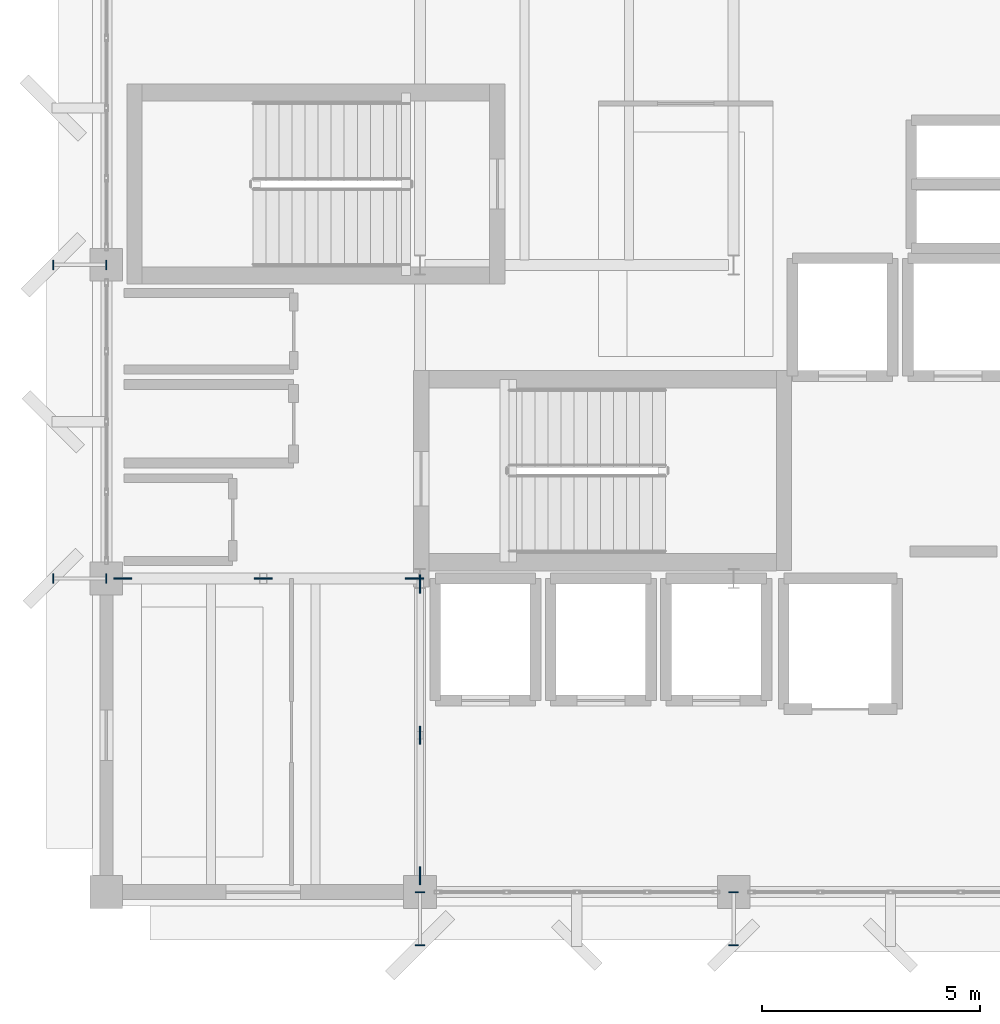
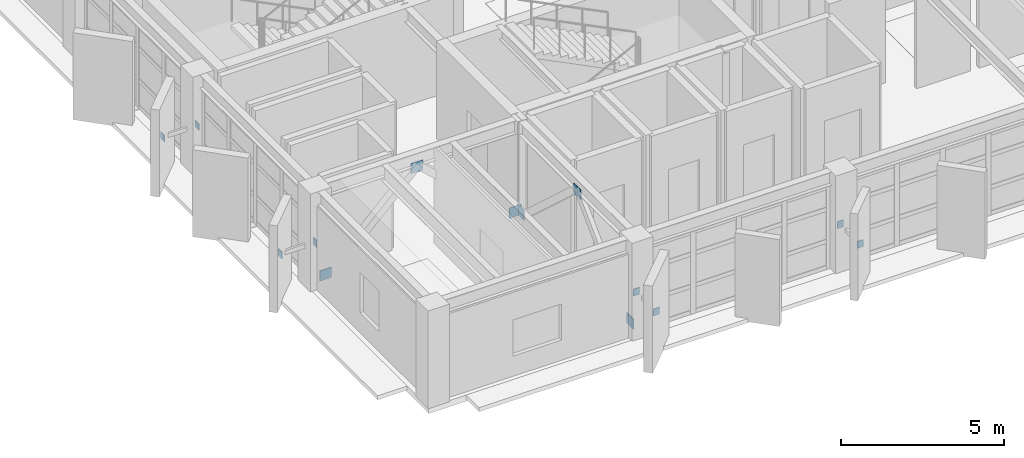
# One storey, part 19 of 24: 14 discrete accessories.
"""IFC4 building model written with IfcOpenShell, lengths in metres."""

from ifc_helpers import new_model, si_unit, direction, frame, origin, origin_2d, place, context, subcontext, project, spatial, rectangle, extrude, material, type_object, element, save


model = new_model("IFC4")

# Units and contexts
model_context = context("Model", 3, precision=1e-05, world=origin(), true_north=direction((0.0, 1.0)))
body_context = subcontext(model_context, "Body", "Model", "MODEL_VIEW")
ifc_project = project(units=[si_unit("LENGTHUNIT", "METRE"), si_unit("AREAUNIT", "SQUARE_METRE"), si_unit("VOLUMEUNIT", "CUBIC_METRE"), si_unit("PLANEANGLEUNIT", "RADIAN"), si_unit("MASSUNIT", "GRAM", prefix="KILO")], contexts=[model_context])

# Site, building, storey
site_placement = place(None, origin())
site = spatial("IfcSite", under=ifc_project, at=site_placement, CompositionType="ELEMENT")
building_placement = place(site_placement, origin())
building = spatial("IfcBuilding", under=site, at=building_placement, Name="Kandorven Conservatory and Botanical Research Centre", CompositionType="ELEMENT")
storey_placement = place(building_placement, frame((0.0, 0.0, 24.89990234375)))
storey = spatial("IfcBuildingStorey", under=building, at=storey_placement, Name="L06", CompositionType="ELEMENT", Elevation=24.89990234375)

# Discrete accessories
ifc_material_1 = material(Name="Steel S355 (IS 2062 E350)", Category="steel")
discrete_accessory_type_1 = type_object("IfcDiscreteAccessoryType", Name="BraceGussetPlate", PredefinedType="BRACKET", material=ifc_material_1)
for number, where, z_axis, x_axis, name in (
    (1, (6.375, 13.199951171875, -0.009765625), (0.0, 0.0, 1.0), (1.0, 0.0, 0.0), "Welded chevron brace gusset plate L06 X-W"),
    (2, (9.60009765625, 13.199951171875, 2.8701171875), (0.0, 0.0, 1.0), (1.0, 0.0, 0.0), "Welded chevron brace gusset plate L06 X-M"),
    (3, (13.074951171875, 13.199951171875, -0.009765625), (0.0, 0.0, 1.0), (1.0, 0.0, 0.0), "Welded chevron brace gusset plate L06 X-E"),
):
    element("IfcDiscreteAccessory", number, at=place(storey_placement, frame(where, z_axis=z_axis, x_axis=x_axis)), inside=storey, type_object=discrete_accessory_type_1, Name=name, PredefinedType="BRACKET", context=body_context, shape_type="SweptSolid", body=[
        extrude(rectangle(XDim=0.419921875, YDim=0.028076171875, at=origin_2d()), origin(), (0.0, 0.0, 1.0), 0.3798828125),
    ])
for number, where, z_axis, x_axis, name in (
    (4, (13.199951171875, 6.375, -0.009765625), (0.0, 0.0, 1.0), (1.0, 0.0, 0.0), "Welded chevron brace gusset plate L06 Y-S"),
    (5, (13.199951171875, 9.60009765625, 2.8701171875), (0.0, 0.0, 1.0), (1.0, 0.0, 0.0), "Welded chevron brace gusset plate L06 Y-M"),
    (6, (13.199951171875, 13.074951171875, -0.009765625), (0.0, 0.0, 1.0), (1.0, 0.0, 0.0), "Welded chevron brace gusset plate L06 Y-N"),
):
    element("IfcDiscreteAccessory", number, at=place(storey_placement, frame(where, z_axis=z_axis, x_axis=x_axis)), inside=storey, type_object=discrete_accessory_type_1, Name=name, PredefinedType="BRACKET", context=body_context, shape_type="SweptSolid", body=[
        extrude(rectangle(XDim=0.028076171875, YDim=0.419921875, at=origin_2d()), origin(), (0.0, 0.0, 1.0), 0.3798828125),
    ])
ifc_material_2 = material(Name="Steel S355 (IS 2062 E350)", Category="steel")
discrete_accessory_type_2 = type_object("IfcDiscreteAccessoryType", Name="SteelGussetPlate", PredefinedType="BRACKET", material=ifc_material_2)
for number, where, z_axis, x_axis, name in (
    (7, (13.199951171875, 6.0, 1.3701171875), (0.0, 0.0, 1.0), (1.0, 0.0, 0.0), "Welded steel strut end-plate GUS-01 #59A"),
    (8, (13.199951171875, 4.780029296875, 1.3701171875), (0.0, 0.0, 1.0), (1.0, 0.0, 0.0), "Welded steel strut end-plate GUS-01 #59B"),
    (9, (20.39990234375, 6.0, 1.3701171875), (0.0, 0.0, 1.0), (1.0, 0.0, 0.0), "Welded steel strut end-plate GUS-01 #61A"),
    (10, (20.39990234375, 4.780029296875, 1.3701171875), (0.0, 0.0, 1.0), (1.0, 0.0, 0.0), "Welded steel strut end-plate GUS-01 #61B"),
):
    element("IfcDiscreteAccessory", number, at=place(storey_placement, frame(where, z_axis=z_axis, x_axis=x_axis)), inside=storey, type_object=discrete_accessory_type_2, Name=name, PredefinedType="BRACKET", context=body_context, shape_type="SweptSolid", body=[
        extrude(rectangle(XDim=0.219970703125, YDim=0.02392578125, at=origin_2d()), origin(), (0.0, 0.0, 1.0), 0.260009765625),
    ])
for number, where, z_axis, x_axis, name in (
    (11, (6.0, 13.199951171875, 1.3701171875), (0.0, 0.0, 1.0), (1.0, 0.0, 0.0), "Welded steel strut end-plate GUS-01 #65A"),
    (12, (4.780029296875, 13.199951171875, 1.3701171875), (0.0, 0.0, 1.0), (1.0, 0.0, 0.0), "Welded steel strut end-plate GUS-01 #65B"),
    (13, (6.0, 20.39990234375, 1.3701171875), (0.0, 0.0, 1.0), (1.0, 0.0, 0.0), "Welded steel strut end-plate GUS-01 #67A"),
    (14, (4.780029296875, 20.39990234375, 1.3701171875), (0.0, 0.0, 1.0), (1.0, 0.0, 0.0), "Welded steel strut end-plate GUS-01 #67B"),
):
    element("IfcDiscreteAccessory", number, at=place(storey_placement, frame(where, z_axis=z_axis, x_axis=x_axis)), inside=storey, type_object=discrete_accessory_type_2, Name=name, PredefinedType="BRACKET", context=body_context, shape_type="SweptSolid", body=[
        extrude(rectangle(XDim=0.02392578125, YDim=0.219970703125, at=origin_2d()), origin(), (0.0, 0.0, 1.0), 0.260009765625),
    ])

save(model, "model.ifc")
